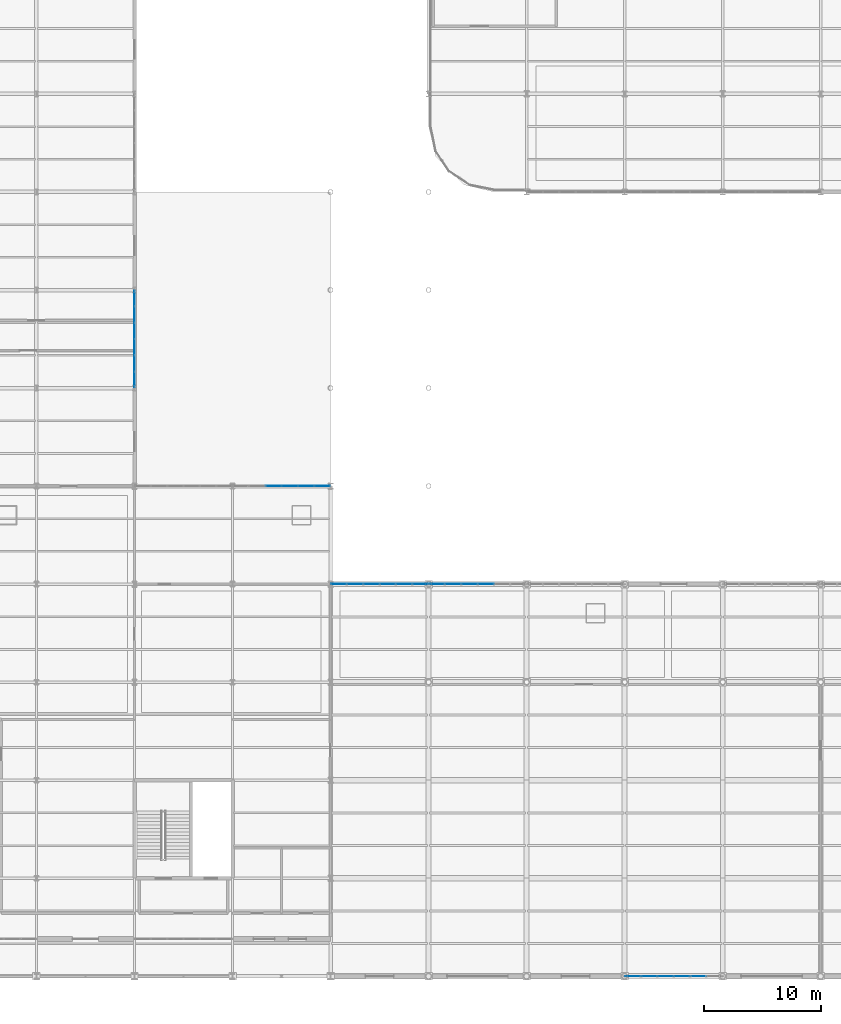
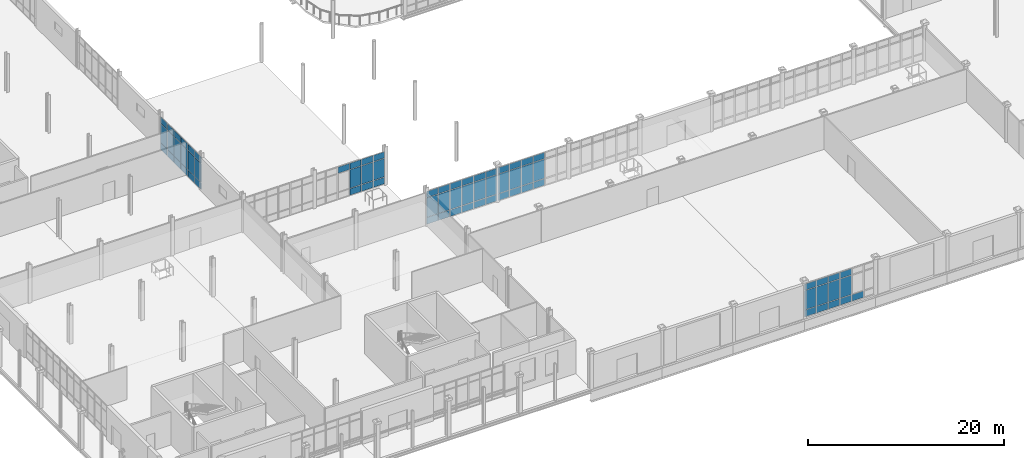
# One storey, part 111 of 145: 71 plates, 5 elements without a shape of their own.
"""IFC4 building model written with IfcOpenShell, lengths in metres."""

from ifc_helpers import new_model, si_unit, direction, frame, origin, origin_2d, place, context, subcontext, project, spatial, rectangle, extrude, material, layer, layer_set, type_object, element, aggregate, save


model = new_model("IFC4")

# Units and contexts
model_context = context("Model", 3, precision=1e-05, world=origin(), true_north=direction((0.0, 1.0)))
body_context = subcontext(model_context, "Body", "Model", "MODEL_VIEW")
ifc_project = project(units=[si_unit("LENGTHUNIT", "METRE"), si_unit("AREAUNIT", "SQUARE_METRE"), si_unit("VOLUMEUNIT", "CUBIC_METRE"), si_unit("PLANEANGLEUNIT", "RADIAN"), si_unit("MASSUNIT", "GRAM", prefix="KILO")], contexts=[model_context])

# Site, building, storey
site_placement = place(None, origin())
site = spatial("IfcSite", under=ifc_project, at=site_placement, CompositionType="ELEMENT")
building_placement = place(site_placement, origin())
building = spatial("IfcBuilding", under=site, at=building_placement, Name="Qalvenar Corner Mobility Hub", CompositionType="ELEMENT")
storey_placement = place(building_placement, origin())
storey = spatial("IfcBuildingStorey", under=building, at=storey_placement, Name="L00", CompositionType="ELEMENT", Elevation=0.0)

# Curtain wall, plates
ifc_material_1 = material(Name="Anodised Aluminium and Low-E Glazing", Category="aluminium")
ifc_layer_1 = layer(ifc_material_1, 0.14990234375)
ifc_layer_set_1 = layer_set([ifc_layer_1], Name="Anodised Aluminium and Low-E Glazing")
curtain_wall_type_1 = type_object("IfcCurtainWallType", Name="CW-CIV-84X46", PredefinedType="NOTDEFINED", material=ifc_layer_set_1)
curtain_wall_1_placement = place(storey_placement, origin())
curtain_wall_1 = element("IfcCurtainWall", 1, at=curtain_wall_1_placement, inside=storey, type_object=curtain_wall_type_1, Name="Glazed Curtain Wall CW-V3-L00-N005", PredefinedType="NOTDEFINED")
ifc_material_2 = material(Name="Solar-Control Low-E Double Glazing", Category="glass")
ifc_layer_2 = layer(ifc_material_2, 0.028076171875)
ifc_layer_set_2 = layer_set([ifc_layer_2], Name="Solar-Control Low-E Double Glazing")
plate_type = type_object("IfcPlateType", Name="PLT-CWP-GLZ1", PredefinedType="CURTAIN_PANEL", material=ifc_layer_set_2)
plate_1_placement = place(storey_placement, frame((49.68505859375, 42.0, 0.05517578125), z_axis=(0.0, 0.0, 1.0), x_axis=(-1.0, 0.0, 0.0)))
plate_1 = element("IfcPlate", 2, at=plate_1_placement, type_object=plate_type, Name="CW-04 panel 1.1", PredefinedType="CURTAIN_PANEL", context=body_context, shape_type="SweptSolid", body=[
    extrude(rectangle(XDim=1.31005859375, YDim=0.028076171875, at=origin_2d()), origin(), (0.0, 0.0, 1.0), 0.8173828125),
])
plate_2_placement = place(storey_placement, frame((49.68505859375, 42.0, 0.927490234375), z_axis=(0.0, 0.0, 1.0), x_axis=(-1.0, 0.0, 0.0)))
plate_2 = element("IfcPlate", 3, at=plate_2_placement, type_object=plate_type, Name="CW-04 panel 1.2", PredefinedType="CURTAIN_PANEL", context=body_context, shape_type="SweptSolid", body=[
    extrude(rectangle(XDim=1.31005859375, YDim=0.028076171875, at=origin_2d()), origin(), (0.0, 0.0, 1.0), 2.294921875),
])
plate_3_placement = place(storey_placement, frame((49.68505859375, 42.0, 3.27734375), z_axis=(0.0, 0.0, 1.0), x_axis=(-1.0, 0.0, 0.0)))
plate_3 = element("IfcPlate", 4, at=plate_3_placement, type_object=plate_type, Name="CW-04 panel 1.3", PredefinedType="CURTAIN_PANEL", context=body_context, shape_type="SweptSolid", body=[
    extrude(rectangle(XDim=1.31005859375, YDim=0.028076171875, at=origin_2d()), origin(), (0.0, 0.0, 1.0), 0.767578125),
])
plate_4_placement = place(storey_placement, frame((48.300048828125, 42.0, 0.05517578125), z_axis=(0.0, 0.0, 1.0), x_axis=(-1.0, 0.0, 0.0)))
plate_4 = element("IfcPlate", 5, at=plate_4_placement, type_object=plate_type, Name="CW-04 panel 2.1", PredefinedType="CURTAIN_PANEL", context=body_context, shape_type="SweptSolid", body=[
    extrude(rectangle(XDim=1.340087890625, YDim=0.028076171875, at=origin_2d()), origin(), (0.0, 0.0, 1.0), 0.8173828125),
])
plate_5_placement = place(storey_placement, frame((48.300048828125, 42.0, 0.927490234375), z_axis=(0.0, 0.0, 1.0), x_axis=(-1.0, 0.0, 0.0)))
plate_5 = element("IfcPlate", 6, at=plate_5_placement, type_object=plate_type, Name="CW-04 panel 2.2", PredefinedType="CURTAIN_PANEL", context=body_context, shape_type="SweptSolid", body=[
    extrude(rectangle(XDim=1.340087890625, YDim=0.028076171875, at=origin_2d()), origin(), (0.0, 0.0, 1.0), 2.294921875),
])
plate_6_placement = place(storey_placement, frame((48.300048828125, 42.0, 3.27734375), z_axis=(0.0, 0.0, 1.0), x_axis=(-1.0, 0.0, 0.0)))
plate_6 = element("IfcPlate", 7, at=plate_6_placement, type_object=plate_type, Name="CW-04 panel 2.3", PredefinedType="CURTAIN_PANEL", context=body_context, shape_type="SweptSolid", body=[
    extrude(rectangle(XDim=1.340087890625, YDim=0.028076171875, at=origin_2d()), origin(), (0.0, 0.0, 1.0), 0.767578125),
])
plate_7_placement = place(storey_placement, frame((46.89990234375, 42.0, 0.05517578125), z_axis=(0.0, 0.0, 1.0), x_axis=(-1.0, 0.0, 0.0)))
plate_7 = element("IfcPlate", 8, at=plate_7_placement, type_object=plate_type, Name="CW-04 panel 3.1", PredefinedType="CURTAIN_PANEL", context=body_context, shape_type="SweptSolid", body=[
    extrude(rectangle(XDim=1.340087890625, YDim=0.028076171875, at=origin_2d()), origin(), (0.0, 0.0, 1.0), 0.8173828125),
])
plate_8_placement = place(storey_placement, frame((46.89990234375, 42.0, 0.927490234375), z_axis=(0.0, 0.0, 1.0), x_axis=(-1.0, 0.0, 0.0)))
plate_8 = element("IfcPlate", 9, at=plate_8_placement, type_object=plate_type, Name="CW-04 panel 3.2", PredefinedType="CURTAIN_PANEL", context=body_context, shape_type="SweptSolid", body=[
    extrude(rectangle(XDim=1.340087890625, YDim=0.028076171875, at=origin_2d()), origin(), (0.0, 0.0, 1.0), 2.294921875),
])
plate_9_placement = place(storey_placement, frame((46.89990234375, 42.0, 3.27734375), z_axis=(0.0, 0.0, 1.0), x_axis=(-1.0, 0.0, 0.0)))
plate_9 = element("IfcPlate", 10, at=plate_9_placement, type_object=plate_type, Name="CW-04 panel 3.3", PredefinedType="CURTAIN_PANEL", context=body_context, shape_type="SweptSolid", body=[
    extrude(rectangle(XDim=1.340087890625, YDim=0.028076171875, at=origin_2d()), origin(), (0.0, 0.0, 1.0), 0.767578125),
])
plate_10_placement = place(storey_placement, frame((45.5, 42.0, 3.27734375), z_axis=(0.0, 0.0, 1.0), x_axis=(-1.0, 0.0, 0.0)))
plate_10 = element("IfcPlate", 11, at=plate_10_placement, type_object=plate_type, Name="CW-04 panel 4.3", PredefinedType="CURTAIN_PANEL", context=body_context, shape_type="SweptSolid", body=[
    extrude(rectangle(XDim=1.340087890625, YDim=0.028076171875, at=origin_2d()), origin(), (0.0, 0.0, 1.0), 0.767578125),
])
aggregate(curtain_wall_1, [plate_1, plate_2, plate_3, plate_4, plate_5, plate_6, plate_7, plate_8, plate_9, plate_10])

ifc_layer_3 = layer(ifc_material_1, 0.179931640625)
ifc_layer_set_3 = layer_set([ifc_layer_3], Name="Anodised Aluminium and Low-E Glazing")
curtain_wall_type_2 = type_object("IfcCurtainWallType", Name="CW-CONC-84X48", PredefinedType="NOTDEFINED", material=ifc_layer_set_3)
curtain_wall_2_placement = place(storey_placement, origin())
curtain_wall_2 = element("IfcCurtainWall", 12, at=curtain_wall_2_placement, inside=storey, type_object=curtain_wall_type_2, Name="Glazed Curtain Wall CW-V1-L00-N0", PredefinedType="NOTDEFINED")
plate_11_placement = place(storey_placement, frame((58.0849609375, 33.60009765625, 0.05517578125), z_axis=(0.0, 0.0, 1.0), x_axis=(-1.0, 0.0, 0.0)))
plate_11 = element("IfcPlate", 13, at=plate_11_placement, type_object=plate_type, Name="CW-01 panel 1.1", PredefinedType="CURTAIN_PANEL", context=body_context, shape_type="SweptSolid", body=[
    extrude(rectangle(XDim=1.31005859375, YDim=0.028076171875, at=origin_2d()), origin(), (0.0, 0.0, 1.0), 0.8173828125),
])
plate_12_placement = place(storey_placement, frame((58.0849609375, 33.60009765625, 0.927490234375), z_axis=(0.0, 0.0, 1.0), x_axis=(-1.0, 0.0, 0.0)))
plate_12 = element("IfcPlate", 14, at=plate_12_placement, type_object=plate_type, Name="CW-01 panel 1.2", PredefinedType="CURTAIN_PANEL", context=body_context, shape_type="SweptSolid", body=[
    extrude(rectangle(XDim=1.31005859375, YDim=0.028076171875, at=origin_2d()), origin(), (0.0, 0.0, 1.0), 2.39501953125),
])
plate_13_placement = place(storey_placement, frame((58.0849609375, 33.60009765625, 3.37744140625), z_axis=(0.0, 0.0, 1.0), x_axis=(-1.0, 0.0, 0.0)))
plate_13 = element("IfcPlate", 15, at=plate_13_placement, type_object=plate_type, Name="CW-01 panel 1.3", PredefinedType="CURTAIN_PANEL", context=body_context, shape_type="SweptSolid", body=[
    extrude(rectangle(XDim=1.31005859375, YDim=0.028076171875, at=origin_2d()), origin(), (0.0, 0.0, 1.0), 0.767578125),
])
plate_14_placement = place(storey_placement, frame((56.699951171875, 33.60009765625, 0.05517578125), z_axis=(0.0, 0.0, 1.0), x_axis=(-1.0, 0.0, 0.0)))
plate_14 = element("IfcPlate", 16, at=plate_14_placement, type_object=plate_type, Name="CW-01 panel 2.1", PredefinedType="CURTAIN_PANEL", context=body_context, shape_type="SweptSolid", body=[
    extrude(rectangle(XDim=1.340087890625, YDim=0.028076171875, at=origin_2d()), origin(), (0.0, 0.0, 1.0), 0.8173828125),
])
plate_15_placement = place(storey_placement, frame((56.699951171875, 33.60009765625, 0.927490234375), z_axis=(0.0, 0.0, 1.0), x_axis=(-1.0, 0.0, 0.0)))
plate_15 = element("IfcPlate", 17, at=plate_15_placement, type_object=plate_type, Name="CW-01 panel 2.2", PredefinedType="CURTAIN_PANEL", context=body_context, shape_type="SweptSolid", body=[
    extrude(rectangle(XDim=1.340087890625, YDim=0.028076171875, at=origin_2d()), origin(), (0.0, 0.0, 1.0), 2.39501953125),
])
plate_16_placement = place(storey_placement, frame((56.699951171875, 33.60009765625, 3.37744140625), z_axis=(0.0, 0.0, 1.0), x_axis=(-1.0, 0.0, 0.0)))
plate_16 = element("IfcPlate", 18, at=plate_16_placement, type_object=plate_type, Name="CW-01 panel 2.3", PredefinedType="CURTAIN_PANEL", context=body_context, shape_type="SweptSolid", body=[
    extrude(rectangle(XDim=1.340087890625, YDim=0.028076171875, at=origin_2d()), origin(), (0.0, 0.0, 1.0), 0.767578125),
])
plate_17_placement = place(storey_placement, frame((55.300048828125, 33.60009765625, 0.05517578125), z_axis=(0.0, 0.0, 1.0), x_axis=(-1.0, 0.0, 0.0)))
plate_17 = element("IfcPlate", 19, at=plate_17_placement, type_object=plate_type, Name="CW-01 panel 3.1", PredefinedType="CURTAIN_PANEL", context=body_context, shape_type="SweptSolid", body=[
    extrude(rectangle(XDim=1.340087890625, YDim=0.028076171875, at=origin_2d()), origin(), (0.0, 0.0, 1.0), 0.8173828125),
])
plate_18_placement = place(storey_placement, frame((55.300048828125, 33.60009765625, 0.927490234375), z_axis=(0.0, 0.0, 1.0), x_axis=(-1.0, 0.0, 0.0)))
plate_18 = element("IfcPlate", 20, at=plate_18_placement, type_object=plate_type, Name="CW-01 panel 3.2", PredefinedType="CURTAIN_PANEL", context=body_context, shape_type="SweptSolid", body=[
    extrude(rectangle(XDim=1.340087890625, YDim=0.028076171875, at=origin_2d()), origin(), (0.0, 0.0, 1.0), 2.39501953125),
])
plate_19_placement = place(storey_placement, frame((55.300048828125, 33.60009765625, 3.37744140625), z_axis=(0.0, 0.0, 1.0), x_axis=(-1.0, 0.0, 0.0)))
plate_19 = element("IfcPlate", 21, at=plate_19_placement, type_object=plate_type, Name="CW-01 panel 3.3", PredefinedType="CURTAIN_PANEL", context=body_context, shape_type="SweptSolid", body=[
    extrude(rectangle(XDim=1.340087890625, YDim=0.028076171875, at=origin_2d()), origin(), (0.0, 0.0, 1.0), 0.767578125),
])
plate_20_placement = place(storey_placement, frame((53.89990234375, 33.60009765625, 0.05517578125), z_axis=(0.0, 0.0, 1.0), x_axis=(-1.0, 0.0, 0.0)))
plate_20 = element("IfcPlate", 22, at=plate_20_placement, type_object=plate_type, Name="CW-01 panel 4.1", PredefinedType="CURTAIN_PANEL", context=body_context, shape_type="SweptSolid", body=[
    extrude(rectangle(XDim=1.340087890625, YDim=0.028076171875, at=origin_2d()), origin(), (0.0, 0.0, 1.0), 0.8173828125),
])
plate_21_placement = place(storey_placement, frame((53.89990234375, 33.60009765625, 0.927490234375), z_axis=(0.0, 0.0, 1.0), x_axis=(-1.0, 0.0, 0.0)))
plate_21 = element("IfcPlate", 23, at=plate_21_placement, type_object=plate_type, Name="CW-01 panel 4.2", PredefinedType="CURTAIN_PANEL", context=body_context, shape_type="SweptSolid", body=[
    extrude(rectangle(XDim=1.340087890625, YDim=0.028076171875, at=origin_2d()), origin(), (0.0, 0.0, 1.0), 2.39501953125),
])
plate_22_placement = place(storey_placement, frame((53.89990234375, 33.60009765625, 3.37744140625), z_axis=(0.0, 0.0, 1.0), x_axis=(-1.0, 0.0, 0.0)))
plate_22 = element("IfcPlate", 24, at=plate_22_placement, type_object=plate_type, Name="CW-01 panel 4.3", PredefinedType="CURTAIN_PANEL", context=body_context, shape_type="SweptSolid", body=[
    extrude(rectangle(XDim=1.340087890625, YDim=0.028076171875, at=origin_2d()), origin(), (0.0, 0.0, 1.0), 0.767578125),
])
plate_23_placement = place(storey_placement, frame((52.5, 33.60009765625, 0.05517578125), z_axis=(0.0, 0.0, 1.0), x_axis=(-1.0, 0.0, 0.0)))
plate_23 = element("IfcPlate", 25, at=plate_23_placement, type_object=plate_type, Name="CW-01 panel 5.1", PredefinedType="CURTAIN_PANEL", context=body_context, shape_type="SweptSolid", body=[
    extrude(rectangle(XDim=1.340087890625, YDim=0.028076171875, at=origin_2d()), origin(), (0.0, 0.0, 1.0), 0.8173828125),
])
plate_24_placement = place(storey_placement, frame((52.5, 33.60009765625, 0.927490234375), z_axis=(0.0, 0.0, 1.0), x_axis=(-1.0, 0.0, 0.0)))
plate_24 = element("IfcPlate", 26, at=plate_24_placement, type_object=plate_type, Name="CW-01 panel 5.2", PredefinedType="CURTAIN_PANEL", context=body_context, shape_type="SweptSolid", body=[
    extrude(rectangle(XDim=1.340087890625, YDim=0.028076171875, at=origin_2d()), origin(), (0.0, 0.0, 1.0), 2.39501953125),
])
plate_25_placement = place(storey_placement, frame((52.5, 33.60009765625, 3.37744140625), z_axis=(0.0, 0.0, 1.0), x_axis=(-1.0, 0.0, 0.0)))
plate_25 = element("IfcPlate", 27, at=plate_25_placement, type_object=plate_type, Name="CW-01 panel 5.3", PredefinedType="CURTAIN_PANEL", context=body_context, shape_type="SweptSolid", body=[
    extrude(rectangle(XDim=1.340087890625, YDim=0.028076171875, at=origin_2d()), origin(), (0.0, 0.0, 1.0), 0.767578125),
])
plate_26_placement = place(storey_placement, frame((51.114990234375, 33.60009765625, 0.05517578125), z_axis=(0.0, 0.0, 1.0), x_axis=(-1.0, 0.0, 0.0)))
plate_26 = element("IfcPlate", 28, at=plate_26_placement, type_object=plate_type, Name="CW-01 panel 6.1", PredefinedType="CURTAIN_PANEL", context=body_context, shape_type="SweptSolid", body=[
    extrude(rectangle(XDim=1.31005859375, YDim=0.028076171875, at=origin_2d()), origin(), (0.0, 0.0, 1.0), 0.8173828125),
])
plate_27_placement = place(storey_placement, frame((51.114990234375, 33.60009765625, 0.927490234375), z_axis=(0.0, 0.0, 1.0), x_axis=(-1.0, 0.0, 0.0)))
plate_27 = element("IfcPlate", 29, at=plate_27_placement, type_object=plate_type, Name="CW-01 panel 6.2", PredefinedType="CURTAIN_PANEL", context=body_context, shape_type="SweptSolid", body=[
    extrude(rectangle(XDim=1.31005859375, YDim=0.028076171875, at=origin_2d()), origin(), (0.0, 0.0, 1.0), 2.39501953125),
])
plate_28_placement = place(storey_placement, frame((51.114990234375, 33.60009765625, 3.37744140625), z_axis=(0.0, 0.0, 1.0), x_axis=(-1.0, 0.0, 0.0)))
plate_28 = element("IfcPlate", 30, at=plate_28_placement, type_object=plate_type, Name="CW-01 panel 6.3", PredefinedType="CURTAIN_PANEL", context=body_context, shape_type="SweptSolid", body=[
    extrude(rectangle(XDim=1.31005859375, YDim=0.028076171875, at=origin_2d()), origin(), (0.0, 0.0, 1.0), 0.767578125),
])
aggregate(curtain_wall_2, [plate_11, plate_12, plate_13, plate_14, plate_15, plate_16, plate_17, plate_18, plate_19, plate_20, plate_21, plate_22, plate_23, plate_24, plate_25, plate_26, plate_27, plate_28])

curtain_wall_3_placement = place(storey_placement, origin())
curtain_wall_3 = element("IfcCurtainWall", 31, at=curtain_wall_3_placement, inside=storey, type_object=curtain_wall_type_2, Name="Glazed Curtain Wall CW-V1-L00-N1", PredefinedType="NOTDEFINED")
plate_29_placement = place(storey_placement, frame((63.699951171875, 33.60009765625, 0.05517578125), z_axis=(0.0, 0.0, 1.0), x_axis=(-1.0, 0.0, 0.0)))
plate_29 = element("IfcPlate", 32, at=plate_29_placement, type_object=plate_type, Name="CW-01 panel 3.1", PredefinedType="CURTAIN_PANEL", context=body_context, shape_type="SweptSolid", body=[
    extrude(rectangle(XDim=1.340087890625, YDim=0.028076171875, at=origin_2d()), origin(), (0.0, 0.0, 1.0), 0.8173828125),
])
plate_30_placement = place(storey_placement, frame((63.699951171875, 33.60009765625, 0.927490234375), z_axis=(0.0, 0.0, 1.0), x_axis=(-1.0, 0.0, 0.0)))
plate_30 = element("IfcPlate", 33, at=plate_30_placement, type_object=plate_type, Name="CW-01 panel 3.2", PredefinedType="CURTAIN_PANEL", context=body_context, shape_type="SweptSolid", body=[
    extrude(rectangle(XDim=1.340087890625, YDim=0.028076171875, at=origin_2d()), origin(), (0.0, 0.0, 1.0), 2.39501953125),
])
plate_31_placement = place(storey_placement, frame((63.699951171875, 33.60009765625, 3.37744140625), z_axis=(0.0, 0.0, 1.0), x_axis=(-1.0, 0.0, 0.0)))
plate_31 = element("IfcPlate", 34, at=plate_31_placement, type_object=plate_type, Name="CW-01 panel 3.3", PredefinedType="CURTAIN_PANEL", context=body_context, shape_type="SweptSolid", body=[
    extrude(rectangle(XDim=1.340087890625, YDim=0.028076171875, at=origin_2d()), origin(), (0.0, 0.0, 1.0), 0.767578125),
])
plate_32_placement = place(storey_placement, frame((62.300048828125, 33.60009765625, 0.05517578125), z_axis=(0.0, 0.0, 1.0), x_axis=(-1.0, 0.0, 0.0)))
plate_32 = element("IfcPlate", 35, at=plate_32_placement, type_object=plate_type, Name="CW-01 panel 4.1", PredefinedType="CURTAIN_PANEL", context=body_context, shape_type="SweptSolid", body=[
    extrude(rectangle(XDim=1.340087890625, YDim=0.028076171875, at=origin_2d()), origin(), (0.0, 0.0, 1.0), 0.8173828125),
])
plate_33_placement = place(storey_placement, frame((62.300048828125, 33.60009765625, 0.927490234375), z_axis=(0.0, 0.0, 1.0), x_axis=(-1.0, 0.0, 0.0)))
plate_33 = element("IfcPlate", 36, at=plate_33_placement, type_object=plate_type, Name="CW-01 panel 4.2", PredefinedType="CURTAIN_PANEL", context=body_context, shape_type="SweptSolid", body=[
    extrude(rectangle(XDim=1.340087890625, YDim=0.028076171875, at=origin_2d()), origin(), (0.0, 0.0, 1.0), 2.39501953125),
])
plate_34_placement = place(storey_placement, frame((62.300048828125, 33.60009765625, 3.37744140625), z_axis=(0.0, 0.0, 1.0), x_axis=(-1.0, 0.0, 0.0)))
plate_34 = element("IfcPlate", 37, at=plate_34_placement, type_object=plate_type, Name="CW-01 panel 4.3", PredefinedType="CURTAIN_PANEL", context=body_context, shape_type="SweptSolid", body=[
    extrude(rectangle(XDim=1.340087890625, YDim=0.028076171875, at=origin_2d()), origin(), (0.0, 0.0, 1.0), 0.767578125),
])
plate_35_placement = place(storey_placement, frame((60.89990234375, 33.60009765625, 0.05517578125), z_axis=(0.0, 0.0, 1.0), x_axis=(-1.0, 0.0, 0.0)))
plate_35 = element("IfcPlate", 38, at=plate_35_placement, type_object=plate_type, Name="CW-01 panel 5.1", PredefinedType="CURTAIN_PANEL", context=body_context, shape_type="SweptSolid", body=[
    extrude(rectangle(XDim=1.340087890625, YDim=0.028076171875, at=origin_2d()), origin(), (0.0, 0.0, 1.0), 0.8173828125),
])
plate_36_placement = place(storey_placement, frame((60.89990234375, 33.60009765625, 0.927490234375), z_axis=(0.0, 0.0, 1.0), x_axis=(-1.0, 0.0, 0.0)))
plate_36 = element("IfcPlate", 39, at=plate_36_placement, type_object=plate_type, Name="CW-01 panel 5.2", PredefinedType="CURTAIN_PANEL", context=body_context, shape_type="SweptSolid", body=[
    extrude(rectangle(XDim=1.340087890625, YDim=0.028076171875, at=origin_2d()), origin(), (0.0, 0.0, 1.0), 2.39501953125),
])
plate_37_placement = place(storey_placement, frame((60.89990234375, 33.60009765625, 3.37744140625), z_axis=(0.0, 0.0, 1.0), x_axis=(-1.0, 0.0, 0.0)))
plate_37 = element("IfcPlate", 40, at=plate_37_placement, type_object=plate_type, Name="CW-01 panel 5.3", PredefinedType="CURTAIN_PANEL", context=body_context, shape_type="SweptSolid", body=[
    extrude(rectangle(XDim=1.340087890625, YDim=0.028076171875, at=origin_2d()), origin(), (0.0, 0.0, 1.0), 0.767578125),
])
plate_38_placement = place(storey_placement, frame((59.514892578125, 33.60009765625, 0.05517578125), z_axis=(0.0, 0.0, 1.0), x_axis=(-1.0, 0.0, 0.0)))
plate_38 = element("IfcPlate", 41, at=plate_38_placement, type_object=plate_type, Name="CW-01 panel 6.1", PredefinedType="CURTAIN_PANEL", context=body_context, shape_type="SweptSolid", body=[
    extrude(rectangle(XDim=1.31005859375, YDim=0.028076171875, at=origin_2d()), origin(), (0.0, 0.0, 1.0), 0.8173828125),
])
plate_39_placement = place(storey_placement, frame((59.514892578125, 33.60009765625, 0.927490234375), z_axis=(0.0, 0.0, 1.0), x_axis=(-1.0, 0.0, 0.0)))
plate_39 = element("IfcPlate", 42, at=plate_39_placement, type_object=plate_type, Name="CW-01 panel 6.2", PredefinedType="CURTAIN_PANEL", context=body_context, shape_type="SweptSolid", body=[
    extrude(rectangle(XDim=1.31005859375, YDim=0.028076171875, at=origin_2d()), origin(), (0.0, 0.0, 1.0), 2.39501953125),
])
plate_40_placement = place(storey_placement, frame((59.514892578125, 33.60009765625, 3.37744140625), z_axis=(0.0, 0.0, 1.0), x_axis=(-1.0, 0.0, 0.0)))
plate_40 = element("IfcPlate", 43, at=plate_40_placement, type_object=plate_type, Name="CW-01 panel 6.3", PredefinedType="CURTAIN_PANEL", context=body_context, shape_type="SweptSolid", body=[
    extrude(rectangle(XDim=1.31005859375, YDim=0.028076171875, at=origin_2d()), origin(), (0.0, 0.0, 1.0), 0.767578125),
])
aggregate(curtain_wall_3, [plate_29, plate_30, plate_31, plate_32, plate_33, plate_34, plate_35, plate_36, plate_37, plate_38, plate_39, plate_40])

curtain_wall_4_placement = place(storey_placement, origin())
curtain_wall_4 = element("IfcCurtainWall", 44, at=curtain_wall_4_placement, inside=storey, type_object=curtain_wall_type_2, Name="Glazed Curtain Wall CW-V1-L00-S3", PredefinedType="NOTDEFINED")
plate_41_placement = place(storey_placement, frame((76.31494140625, 0.0, 0.05517578125), z_axis=(0.0, 0.0, 1.0), x_axis=(1.0, 0.0, 0.0)))
plate_41 = element("IfcPlate", 45, at=plate_41_placement, type_object=plate_type, Name="CW-01 panel 1.1", PredefinedType="CURTAIN_PANEL", context=body_context, shape_type="SweptSolid", body=[
    extrude(rectangle(XDim=1.31005859375, YDim=0.028076171875, at=origin_2d()), origin(), (0.0, 0.0, 1.0), 0.8173828125),
])
plate_42_placement = place(storey_placement, frame((76.31494140625, 0.0, 0.927490234375), z_axis=(0.0, 0.0, 1.0), x_axis=(1.0, 0.0, 0.0)))
plate_42 = element("IfcPlate", 46, at=plate_42_placement, type_object=plate_type, Name="CW-01 panel 1.2", PredefinedType="CURTAIN_PANEL", context=body_context, shape_type="SweptSolid", body=[
    extrude(rectangle(XDim=1.31005859375, YDim=0.028076171875, at=origin_2d()), origin(), (0.0, 0.0, 1.0), 2.39501953125),
])
plate_43_placement = place(storey_placement, frame((76.31494140625, 0.0, 3.37744140625), z_axis=(0.0, 0.0, 1.0), x_axis=(1.0, 0.0, 0.0)))
plate_43 = element("IfcPlate", 47, at=plate_43_placement, type_object=plate_type, Name="CW-01 panel 1.3", PredefinedType="CURTAIN_PANEL", context=body_context, shape_type="SweptSolid", body=[
    extrude(rectangle(XDim=1.31005859375, YDim=0.028076171875, at=origin_2d()), origin(), (0.0, 0.0, 1.0), 0.767578125),
])
plate_44_placement = place(storey_placement, frame((77.699951171875, 0.0, 0.05517578125), z_axis=(0.0, 0.0, 1.0), x_axis=(1.0, 0.0, 0.0)))
plate_44 = element("IfcPlate", 48, at=plate_44_placement, type_object=plate_type, Name="CW-01 panel 2.1", PredefinedType="CURTAIN_PANEL", context=body_context, shape_type="SweptSolid", body=[
    extrude(rectangle(XDim=1.340087890625, YDim=0.028076171875, at=origin_2d()), origin(), (0.0, 0.0, 1.0), 0.8173828125),
])
plate_45_placement = place(storey_placement, frame((77.699951171875, 0.0, 0.927490234375), z_axis=(0.0, 0.0, 1.0), x_axis=(1.0, 0.0, 0.0)))
plate_45 = element("IfcPlate", 49, at=plate_45_placement, type_object=plate_type, Name="CW-01 panel 2.2", PredefinedType="CURTAIN_PANEL", context=body_context, shape_type="SweptSolid", body=[
    extrude(rectangle(XDim=1.340087890625, YDim=0.028076171875, at=origin_2d()), origin(), (0.0, 0.0, 1.0), 2.39501953125),
])
plate_46_placement = place(storey_placement, frame((77.699951171875, 0.0, 3.37744140625), z_axis=(0.0, 0.0, 1.0), x_axis=(1.0, 0.0, 0.0)))
plate_46 = element("IfcPlate", 50, at=plate_46_placement, type_object=plate_type, Name="CW-01 panel 2.3", PredefinedType="CURTAIN_PANEL", context=body_context, shape_type="SweptSolid", body=[
    extrude(rectangle(XDim=1.340087890625, YDim=0.028076171875, at=origin_2d()), origin(), (0.0, 0.0, 1.0), 0.767578125),
])
plate_47_placement = place(storey_placement, frame((79.10009765625, 0.0, 0.05517578125), z_axis=(0.0, 0.0, 1.0), x_axis=(1.0, 0.0, 0.0)))
plate_47 = element("IfcPlate", 51, at=plate_47_placement, type_object=plate_type, Name="CW-01 panel 3.1", PredefinedType="CURTAIN_PANEL", context=body_context, shape_type="SweptSolid", body=[
    extrude(rectangle(XDim=1.340087890625, YDim=0.028076171875, at=origin_2d()), origin(), (0.0, 0.0, 1.0), 0.8173828125),
])
plate_48_placement = place(storey_placement, frame((79.10009765625, 0.0, 0.927490234375), z_axis=(0.0, 0.0, 1.0), x_axis=(1.0, 0.0, 0.0)))
plate_48 = element("IfcPlate", 52, at=plate_48_placement, type_object=plate_type, Name="CW-01 panel 3.2", PredefinedType="CURTAIN_PANEL", context=body_context, shape_type="SweptSolid", body=[
    extrude(rectangle(XDim=1.340087890625, YDim=0.028076171875, at=origin_2d()), origin(), (0.0, 0.0, 1.0), 2.39501953125),
])
plate_49_placement = place(storey_placement, frame((79.10009765625, 0.0, 3.37744140625), z_axis=(0.0, 0.0, 1.0), x_axis=(1.0, 0.0, 0.0)))
plate_49 = element("IfcPlate", 53, at=plate_49_placement, type_object=plate_type, Name="CW-01 panel 3.3", PredefinedType="CURTAIN_PANEL", context=body_context, shape_type="SweptSolid", body=[
    extrude(rectangle(XDim=1.340087890625, YDim=0.028076171875, at=origin_2d()), origin(), (0.0, 0.0, 1.0), 0.767578125),
])
plate_50_placement = place(storey_placement, frame((80.5, 0.0, 0.05517578125), z_axis=(0.0, 0.0, 1.0), x_axis=(1.0, 0.0, 0.0)))
plate_50 = element("IfcPlate", 54, at=plate_50_placement, type_object=plate_type, Name="CW-01 panel 4.1", PredefinedType="CURTAIN_PANEL", context=body_context, shape_type="SweptSolid", body=[
    extrude(rectangle(XDim=1.340087890625, YDim=0.028076171875, at=origin_2d()), origin(), (0.0, 0.0, 1.0), 0.8173828125),
])
plate_51_placement = place(storey_placement, frame((80.5, 0.0, 0.927490234375), z_axis=(0.0, 0.0, 1.0), x_axis=(1.0, 0.0, 0.0)))
plate_51 = element("IfcPlate", 55, at=plate_51_placement, type_object=plate_type, Name="CW-01 panel 4.2", PredefinedType="CURTAIN_PANEL", context=body_context, shape_type="SweptSolid", body=[
    extrude(rectangle(XDim=1.340087890625, YDim=0.028076171875, at=origin_2d()), origin(), (0.0, 0.0, 1.0), 2.39501953125),
])
plate_52_placement = place(storey_placement, frame((80.5, 0.0, 3.37744140625), z_axis=(0.0, 0.0, 1.0), x_axis=(1.0, 0.0, 0.0)))
plate_52 = element("IfcPlate", 56, at=plate_52_placement, type_object=plate_type, Name="CW-01 panel 4.3", PredefinedType="CURTAIN_PANEL", context=body_context, shape_type="SweptSolid", body=[
    extrude(rectangle(XDim=1.340087890625, YDim=0.028076171875, at=origin_2d()), origin(), (0.0, 0.0, 1.0), 0.767578125),
])
plate_53_placement = place(storey_placement, frame((81.89990234375, 0.0, 0.05517578125), z_axis=(0.0, 0.0, 1.0), x_axis=(1.0, 0.0, 0.0)))
plate_53 = element("IfcPlate", 57, at=plate_53_placement, type_object=plate_type, Name="CW-01 panel 5.1", PredefinedType="CURTAIN_PANEL", context=body_context, shape_type="SweptSolid", body=[
    extrude(rectangle(XDim=1.340087890625, YDim=0.028076171875, at=origin_2d()), origin(), (0.0, 0.0, 1.0), 0.8173828125),
])
aggregate(curtain_wall_4, [plate_41, plate_42, plate_43, plate_44, plate_45, plate_46, plate_47, plate_48, plate_49, plate_50, plate_51, plate_52, plate_53])

ifc_layer_4 = layer(ifc_material_1, 0.14990234375)
ifc_layer_set_4 = layer_set([ifc_layer_4], Name="Anodised Aluminium and Low-E Glazing")
curtain_wall_type_3 = type_object("IfcCurtainWallType", Name="CW-CYC-84X39", PredefinedType="NOTDEFINED", material=ifc_layer_set_4)
curtain_wall_5_placement = place(storey_placement, origin())
curtain_wall_5 = element("IfcCurtainWall", 58, at=curtain_wall_5_placement, inside=storey, type_object=curtain_wall_type_3, Name="Glazed Curtain Wall CW-V5-L00-E1", PredefinedType="NOTDEFINED")
plate_54_placement = place(storey_placement, frame((33.60009765625, 51.114990234375, 0.05517578125), z_axis=(0.0, 0.0, 1.0), x_axis=(0.0, 1.0, 0.0)))
plate_54 = element("IfcPlate", 59, at=plate_54_placement, type_object=plate_type, Name="CW-08 panel 1.1", PredefinedType="CURTAIN_PANEL", context=body_context, shape_type="SweptSolid", body=[
    extrude(rectangle(XDim=1.31005859375, YDim=0.028076171875, at=origin_2d()), origin(), (0.0, 0.0, 1.0), 0.8173828125),
])
plate_55_placement = place(storey_placement, frame((33.60009765625, 51.114990234375, 0.927734375), z_axis=(0.0, 0.0, 1.0), x_axis=(0.0, 1.0, 0.0)))
plate_55 = element("IfcPlate", 60, at=plate_55_placement, type_object=plate_type, Name="CW-08 panel 1.2", PredefinedType="CURTAIN_PANEL", context=body_context, shape_type="SweptSolid", body=[
    extrude(rectangle(XDim=1.31005859375, YDim=0.028076171875, at=origin_2d()), origin(), (0.0, 0.0, 1.0), 2.364990234375),
])
plate_56_placement = place(storey_placement, frame((33.60009765625, 51.114990234375, 3.347412109375), z_axis=(0.0, 0.0, 1.0), x_axis=(0.0, 1.0, 0.0)))
plate_56 = element("IfcPlate", 61, at=plate_56_placement, type_object=plate_type, Name="CW-08 panel 1.3", PredefinedType="CURTAIN_PANEL", context=body_context, shape_type="SweptSolid", body=[
    extrude(rectangle(XDim=1.31005859375, YDim=0.028076171875, at=origin_2d()), origin(), (0.0, 0.0, 1.0), 0.767578125),
])
plate_57_placement = place(storey_placement, frame((33.60009765625, 52.5, 0.05517578125), z_axis=(0.0, 0.0, 1.0), x_axis=(0.0, 1.0, 0.0)))
plate_57 = element("IfcPlate", 62, at=plate_57_placement, type_object=plate_type, Name="CW-08 panel 2.1", PredefinedType="CURTAIN_PANEL", context=body_context, shape_type="SweptSolid", body=[
    extrude(rectangle(XDim=1.340087890625, YDim=0.028076171875, at=origin_2d()), origin(), (0.0, 0.0, 1.0), 0.8173828125),
])
plate_58_placement = place(storey_placement, frame((33.60009765625, 52.5, 0.927734375), z_axis=(0.0, 0.0, 1.0), x_axis=(0.0, 1.0, 0.0)))
plate_58 = element("IfcPlate", 63, at=plate_58_placement, type_object=plate_type, Name="CW-08 panel 2.2", PredefinedType="CURTAIN_PANEL", context=body_context, shape_type="SweptSolid", body=[
    extrude(rectangle(XDim=1.340087890625, YDim=0.028076171875, at=origin_2d()), origin(), (0.0, 0.0, 1.0), 2.364990234375),
])
plate_59_placement = place(storey_placement, frame((33.60009765625, 52.5, 3.347412109375), z_axis=(0.0, 0.0, 1.0), x_axis=(0.0, 1.0, 0.0)))
plate_59 = element("IfcPlate", 64, at=plate_59_placement, type_object=plate_type, Name="CW-08 panel 2.3", PredefinedType="CURTAIN_PANEL", context=body_context, shape_type="SweptSolid", body=[
    extrude(rectangle(XDim=1.340087890625, YDim=0.028076171875, at=origin_2d()), origin(), (0.0, 0.0, 1.0), 0.767578125),
])
plate_60_placement = place(storey_placement, frame((33.60009765625, 53.89990234375, 0.05517578125), z_axis=(0.0, 0.0, 1.0), x_axis=(0.0, 1.0, 0.0)))
plate_60 = element("IfcPlate", 65, at=plate_60_placement, type_object=plate_type, Name="CW-08 panel 3.1", PredefinedType="CURTAIN_PANEL", context=body_context, shape_type="SweptSolid", body=[
    extrude(rectangle(XDim=1.340087890625, YDim=0.028076171875, at=origin_2d()), origin(), (0.0, 0.0, 1.0), 0.8173828125),
])
plate_61_placement = place(storey_placement, frame((33.60009765625, 53.89990234375, 0.927734375), z_axis=(0.0, 0.0, 1.0), x_axis=(0.0, 1.0, 0.0)))
plate_61 = element("IfcPlate", 66, at=plate_61_placement, type_object=plate_type, Name="CW-08 panel 3.2", PredefinedType="CURTAIN_PANEL", context=body_context, shape_type="SweptSolid", body=[
    extrude(rectangle(XDim=1.340087890625, YDim=0.028076171875, at=origin_2d()), origin(), (0.0, 0.0, 1.0), 2.364990234375),
])
plate_62_placement = place(storey_placement, frame((33.60009765625, 53.89990234375, 3.347412109375), z_axis=(0.0, 0.0, 1.0), x_axis=(0.0, 1.0, 0.0)))
plate_62 = element("IfcPlate", 67, at=plate_62_placement, type_object=plate_type, Name="CW-08 panel 3.3", PredefinedType="CURTAIN_PANEL", context=body_context, shape_type="SweptSolid", body=[
    extrude(rectangle(XDim=1.340087890625, YDim=0.028076171875, at=origin_2d()), origin(), (0.0, 0.0, 1.0), 0.767578125),
])
plate_63_placement = place(storey_placement, frame((33.60009765625, 55.300048828125, 0.05517578125), z_axis=(0.0, 0.0, 1.0), x_axis=(0.0, 1.0, 0.0)))
plate_63 = element("IfcPlate", 68, at=plate_63_placement, type_object=plate_type, Name="CW-08 panel 4.1", PredefinedType="CURTAIN_PANEL", context=body_context, shape_type="SweptSolid", body=[
    extrude(rectangle(XDim=1.340087890625, YDim=0.028076171875, at=origin_2d()), origin(), (0.0, 0.0, 1.0), 0.8173828125),
])
plate_64_placement = place(storey_placement, frame((33.60009765625, 55.300048828125, 0.927734375), z_axis=(0.0, 0.0, 1.0), x_axis=(0.0, 1.0, 0.0)))
plate_64 = element("IfcPlate", 69, at=plate_64_placement, type_object=plate_type, Name="CW-08 panel 4.2", PredefinedType="CURTAIN_PANEL", context=body_context, shape_type="SweptSolid", body=[
    extrude(rectangle(XDim=1.340087890625, YDim=0.028076171875, at=origin_2d()), origin(), (0.0, 0.0, 1.0), 2.364990234375),
])
plate_65_placement = place(storey_placement, frame((33.60009765625, 55.300048828125, 3.347412109375), z_axis=(0.0, 0.0, 1.0), x_axis=(0.0, 1.0, 0.0)))
plate_65 = element("IfcPlate", 70, at=plate_65_placement, type_object=plate_type, Name="CW-08 panel 4.3", PredefinedType="CURTAIN_PANEL", context=body_context, shape_type="SweptSolid", body=[
    extrude(rectangle(XDim=1.340087890625, YDim=0.028076171875, at=origin_2d()), origin(), (0.0, 0.0, 1.0), 0.767578125),
])
plate_66_placement = place(storey_placement, frame((33.60009765625, 56.699951171875, 0.05517578125), z_axis=(0.0, 0.0, 1.0), x_axis=(0.0, 1.0, 0.0)))
plate_66 = element("IfcPlate", 71, at=plate_66_placement, type_object=plate_type, Name="CW-08 panel 5.1", PredefinedType="CURTAIN_PANEL", context=body_context, shape_type="SweptSolid", body=[
    extrude(rectangle(XDim=1.340087890625, YDim=0.028076171875, at=origin_2d()), origin(), (0.0, 0.0, 1.0), 0.8173828125),
])
plate_67_placement = place(storey_placement, frame((33.60009765625, 56.699951171875, 0.927734375), z_axis=(0.0, 0.0, 1.0), x_axis=(0.0, 1.0, 0.0)))
plate_67 = element("IfcPlate", 72, at=plate_67_placement, type_object=plate_type, Name="CW-08 panel 5.2", PredefinedType="CURTAIN_PANEL", context=body_context, shape_type="SweptSolid", body=[
    extrude(rectangle(XDim=1.340087890625, YDim=0.028076171875, at=origin_2d()), origin(), (0.0, 0.0, 1.0), 2.364990234375),
])
plate_68_placement = place(storey_placement, frame((33.60009765625, 56.699951171875, 3.347412109375), z_axis=(0.0, 0.0, 1.0), x_axis=(0.0, 1.0, 0.0)))
plate_68 = element("IfcPlate", 73, at=plate_68_placement, type_object=plate_type, Name="CW-08 panel 5.3", PredefinedType="CURTAIN_PANEL", context=body_context, shape_type="SweptSolid", body=[
    extrude(rectangle(XDim=1.340087890625, YDim=0.028076171875, at=origin_2d()), origin(), (0.0, 0.0, 1.0), 0.767578125),
])
plate_69_placement = place(storey_placement, frame((33.60009765625, 58.0849609375, 0.05517578125), z_axis=(0.0, 0.0, 1.0), x_axis=(0.0, 1.0, 0.0)))
plate_69 = element("IfcPlate", 74, at=plate_69_placement, type_object=plate_type, Name="CW-08 panel 6.1", PredefinedType="CURTAIN_PANEL", context=body_context, shape_type="SweptSolid", body=[
    extrude(rectangle(XDim=1.31005859375, YDim=0.028076171875, at=origin_2d()), origin(), (0.0, 0.0, 1.0), 0.8173828125),
])
plate_70_placement = place(storey_placement, frame((33.60009765625, 58.0849609375, 0.927734375), z_axis=(0.0, 0.0, 1.0), x_axis=(0.0, 1.0, 0.0)))
plate_70 = element("IfcPlate", 75, at=plate_70_placement, type_object=plate_type, Name="CW-08 panel 6.2", PredefinedType="CURTAIN_PANEL", context=body_context, shape_type="SweptSolid", body=[
    extrude(rectangle(XDim=1.31005859375, YDim=0.028076171875, at=origin_2d()), origin(), (0.0, 0.0, 1.0), 2.364990234375),
])
plate_71_placement = place(storey_placement, frame((33.60009765625, 58.0849609375, 3.347412109375), z_axis=(0.0, 0.0, 1.0), x_axis=(0.0, 1.0, 0.0)))
plate_71 = element("IfcPlate", 76, at=plate_71_placement, type_object=plate_type, Name="CW-08 panel 6.3", PredefinedType="CURTAIN_PANEL", context=body_context, shape_type="SweptSolid", body=[
    extrude(rectangle(XDim=1.31005859375, YDim=0.028076171875, at=origin_2d()), origin(), (0.0, 0.0, 1.0), 0.767578125),
])
aggregate(curtain_wall_5, [plate_54, plate_55, plate_56, plate_57, plate_58, plate_59, plate_60, plate_61, plate_62, plate_63, plate_64, plate_65, plate_66, plate_67, plate_68, plate_69, plate_70, plate_71])

save(model, "model.ifc")
